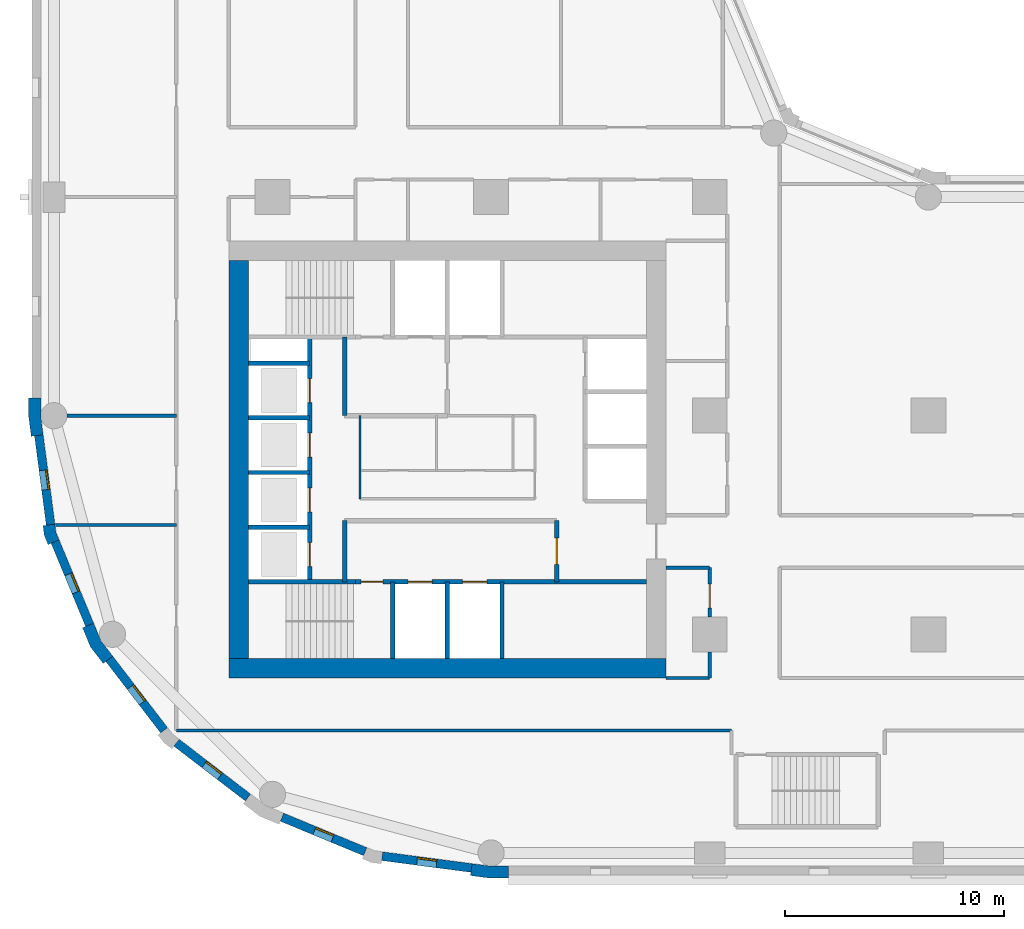
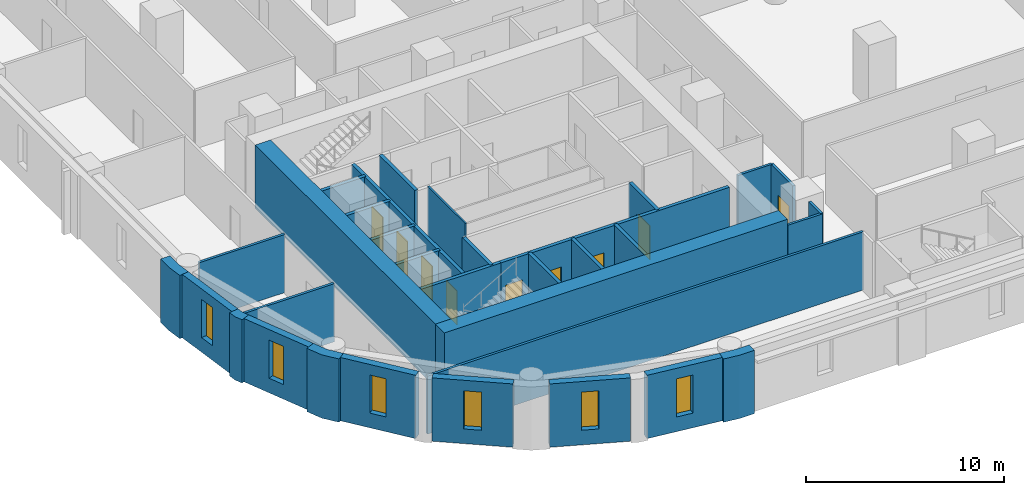
# One storey, part 2 of 10: 33 walls, 9 doors, 6 windows, 15 openings.
"""IFC4 building model written with IfcOpenShell, lengths in metres."""

from ifc_helpers import new_model, si_unit, direction, frame, frame_2d, origin, place, context, subcontext, project, spatial, polyline, rectangle, outline, extrude, material, layer, layer_set, type_object, element, fill, save


model = new_model("IFC4")

# Units and contexts
model_context = context("Model", 3, precision=1e-05, world=origin(), true_north=direction((0.0, 1.0)))
body_context = subcontext(model_context, "Body", "Model", "MODEL_VIEW")
ifc_project = project(units=[si_unit("LENGTHUNIT", "METRE"), si_unit("AREAUNIT", "SQUARE_METRE"), si_unit("VOLUMEUNIT", "CUBIC_METRE"), si_unit("PLANEANGLEUNIT", "RADIAN"), si_unit("MASSUNIT", "GRAM", prefix="KILO")], contexts=[model_context])

# Site, building, storey
site_placement = place(None, origin())
site = spatial("IfcSite", under=ifc_project, at=site_placement, CompositionType="ELEMENT")
building_placement = place(site_placement, origin())
building = spatial("IfcBuilding", under=site, at=building_placement, Name="Qaws Garden Tower", CompositionType="ELEMENT")
storey_placement = place(building_placement, frame((0.0, 0.0, 58.800048828125)))
storey = spatial("IfcBuildingStorey", under=building, at=storey_placement, Name="L14", CompositionType="ELEMENT", Elevation=58.800048828125)

# Wall, opening, window
ifc_material_1 = material(Name="Clay facing brick masonry", Category="masonry")
ifc_layer_1 = layer(ifc_material_1, 0.39990234375)
ifc_layer_set_1 = layer_set([ifc_layer_1], Name="Clay facing brick masonry")
wall_type_1 = type_object("IfcWallType", Name="Brick infill wall 400", PredefinedType="SOLIDWALL", material=ifc_layer_set_1)
wall_1_placement = place(storey_placement, frame((-0.688720703125, 19.102294921875, 0.0), z_axis=(0.0, 0.0, 1.0), x_axis=(0.130514280502, -0.991446429508, 0.0)))
wall_1 = element("IfcWall", 1, at=wall_1_placement, inside=storey, type_object=wall_type_1, Name="E-L14-infill-27", PredefinedType="SOLIDWALL", context=body_context, shape_type="SweptSolid", body=[
    extrude(rectangle(XDim=4.120849609375, YDim=0.39990234375, at=frame_2d((2.060546875, 0.0))), origin(), (0.0, 0.0, 1.0), 3.89990234375),
])
opening_1_placement = place(wall_1_placement, frame((1.610595703125, 0.0, 0.89990234375)))
opening_1 = element("IfcOpeningElement", 2, at=opening_1_placement, cuts=wall_1, Name="Opening W09", PredefinedType="OPENING", context=body_context, shape_type="SweptSolid", body=[
    extrude(rectangle(XDim=0.89990234375, YDim=2.35009765625, at=frame_2d((0.449951171875, 1.175048828125))), frame((0.0, 0.2099609375, 0.0), z_axis=(0.0, -1.0, 0.0), x_axis=(1.0, 0.0, 0.0)), (0.0, 0.0, 1.0), 0.419921875),
])
ifc_material_2 = material(Name="Aluminium framed window, clear glazing", Category="aluminium")
window_type = type_object("IfcWindowType", Name="Slit window 900 x 2350", PartitioningType="SINGLE_PANEL", PredefinedType="WINDOW", material=ifc_material_2)
window_1_placement = place(opening_1_placement, origin())
window_1 = element("IfcWindow", 3, at=window_1_placement, inside=storey, type_object=window_type, Name="E-L14-window-27-0", OverallHeight=2.35009765625, OverallWidth=0.89990234375, PartitioningType="SINGLE_PANEL", PredefinedType="WINDOW", context=body_context, shape_type="SweptSolid", body=[
    extrude(rectangle(XDim=0.89990234375, YDim=2.35009765625, at=frame_2d((0.449951171875, 1.175048828125))), frame((0.0, 0.159912109375, 0.0), z_axis=(0.0, -1.0, 0.0), x_axis=(1.0, 0.0, 0.0)), (0.0, 0.0, 1.0), 0.06005859375),
])
fill(opening_1, window_1)

wall_2_placement = place(storey_placement, frame((0.05712890625, 14.240234375, 0.0), z_axis=(0.0, 0.0, 1.0), x_axis=(0.382721546029, -0.923863744394, 0.0)))
wall_2 = element("IfcWall", 4, at=wall_2_placement, inside=storey, type_object=wall_type_1, Name="E-L14-infill-28", PredefinedType="SOLIDWALL", context=body_context, shape_type="SweptSolid", body=[
    extrude(rectangle(XDim=4.120849609375, YDim=0.39990234375, at=frame_2d((2.060546875, 0.0))), origin(), (0.0, 0.0, 1.0), 3.89990234375),
])
opening_2_placement = place(wall_2_placement, frame((1.610595703125, 0.0, 0.89990234375)))
opening_2 = element("IfcOpeningElement", 5, at=opening_2_placement, cuts=wall_2, Name="Opening W09", PredefinedType="OPENING", context=body_context, shape_type="SweptSolid", body=[
    extrude(rectangle(XDim=0.89990234375, YDim=2.35009765625, at=frame_2d((0.449951171875, 1.175048828125))), frame((0.0, 0.2099609375, 0.0), z_axis=(0.0, -1.0, 0.0), x_axis=(1.0, 0.0, 0.0)), (0.0, 0.0, 1.0), 0.419921875),
])
window_2_placement = place(opening_2_placement, origin())
window_2 = element("IfcWindow", 6, at=window_2_placement, inside=storey, type_object=window_type, Name="E-L14-window-28-0", OverallHeight=2.35009765625, OverallWidth=0.89990234375, PartitioningType="SINGLE_PANEL", PredefinedType="WINDOW", context=body_context, shape_type="SweptSolid", body=[
    extrude(rectangle(XDim=0.89990234375, YDim=2.35009765625, at=frame_2d((0.449951171875, 1.175048828125))), frame((0.0, 0.159912109375, 0.0), z_axis=(0.0, -1.0, 0.0), x_axis=(1.0, 0.0, 0.0)), (0.0, 0.0, 1.0), 0.06005859375),
])
fill(opening_2, window_2)

wall_3_placement = place(storey_placement, frame((2.53173828125, 8.87841796875, 0.0), z_axis=(0.0, 0.0, 1.0), x_axis=(0.608759824817, -0.793354571229, 0.0)))
wall_3 = element("IfcWall", 7, at=wall_3_placement, inside=storey, type_object=wall_type_1, Name="E-L14-infill-29", PredefinedType="SOLIDWALL", context=body_context, shape_type="SweptSolid", body=[
    extrude(rectangle(XDim=4.12109375, YDim=0.39990234375, at=frame_2d((2.060546875, 0.0))), origin(), (0.0, 0.0, 1.0), 3.89990234375),
])
opening_3_placement = place(wall_3_placement, frame((1.610595703125, 0.0, 0.89990234375)))
opening_3 = element("IfcOpeningElement", 8, at=opening_3_placement, cuts=wall_3, Name="Opening W09", PredefinedType="OPENING", context=body_context, shape_type="SweptSolid", body=[
    extrude(rectangle(XDim=0.89990234375, YDim=2.35009765625, at=frame_2d((0.449951171875, 1.175048828125))), frame((0.0, 0.2099609375, 0.0), z_axis=(0.0, -1.0, 0.0), x_axis=(1.0, 0.0, 0.0)), (0.0, 0.0, 1.0), 0.419921875),
])
window_3_placement = place(opening_3_placement, origin())
window_3 = element("IfcWindow", 9, at=window_3_placement, inside=storey, type_object=window_type, Name="E-L14-window-29-0", OverallHeight=2.35009765625, OverallWidth=0.89990234375, PartitioningType="SINGLE_PANEL", PredefinedType="WINDOW", context=body_context, shape_type="SweptSolid", body=[
    extrude(rectangle(XDim=0.89990234375, YDim=2.35009765625, at=frame_2d((0.449951171875, 1.175048828125))), frame((0.0, 0.159912109375, 0.0), z_axis=(0.0, -1.0, 0.0), x_axis=(1.0, 0.0, 0.0)), (0.0, 0.0, 1.0), 0.06005859375),
])
fill(opening_3, window_3)

wall_4_placement = place(storey_placement, frame((5.60888671875, 5.04052734375, 0.0), z_axis=(0.0, 0.0, 1.0), x_axis=(0.793354571229, -0.608759824817, 0.0)))
wall_4 = element("IfcWall", 10, at=wall_4_placement, inside=storey, type_object=wall_type_1, Name="E-L14-infill-30", PredefinedType="SOLIDWALL", context=body_context, shape_type="SweptSolid", body=[
    extrude(rectangle(XDim=4.12109375, YDim=0.39990234375, at=frame_2d((2.060546875, 0.0))), origin(), (0.0, 0.0, 1.0), 3.89990234375),
])
opening_4_placement = place(wall_4_placement, frame((1.610595703125, 0.0, 0.89990234375)))
opening_4 = element("IfcOpeningElement", 11, at=opening_4_placement, cuts=wall_4, Name="Opening W09", PredefinedType="OPENING", context=body_context, shape_type="SweptSolid", body=[
    extrude(rectangle(XDim=0.89990234375, YDim=2.35009765625, at=frame_2d((0.449951171875, 1.175048828125))), frame((0.0, 0.2099609375, 0.0), z_axis=(0.0, -1.0, 0.0), x_axis=(1.0, 0.0, 0.0)), (0.0, 0.0, 1.0), 0.419921875),
])
window_4_placement = place(opening_4_placement, origin())
window_4 = element("IfcWindow", 12, at=window_4_placement, inside=storey, type_object=window_type, Name="E-L14-window-30-0", OverallHeight=2.35009765625, OverallWidth=0.89990234375, PartitioningType="SINGLE_PANEL", PredefinedType="WINDOW", context=body_context, shape_type="SweptSolid", body=[
    extrude(rectangle(XDim=0.89990234375, YDim=2.35009765625, at=frame_2d((0.449951171875, 1.175048828125))), frame((0.0, 0.159912109375, 0.0), z_axis=(0.0, -1.0, 0.0), x_axis=(1.0, 0.0, 0.0)), (0.0, 0.0, 1.0), 0.06005859375),
])
fill(opening_4, window_4)

wall_5_placement = place(storey_placement, frame((10.43310546875, 1.63427734375, 0.0), z_axis=(0.0, 0.0, 1.0), x_axis=(0.923863744394, -0.382721546029, 0.0)))
wall_5 = element("IfcWall", 13, at=wall_5_placement, inside=storey, type_object=wall_type_1, Name="E-L14-infill-31", PredefinedType="SOLIDWALL", context=body_context, shape_type="SweptSolid", body=[
    extrude(rectangle(XDim=4.120849609375, YDim=0.39990234375, at=frame_2d((2.060546875, 0.0))), origin(), (0.0, 0.0, 1.0), 3.89990234375),
])
opening_5_placement = place(wall_5_placement, frame((1.610595703125, 0.0, 0.89990234375)))
opening_5 = element("IfcOpeningElement", 14, at=opening_5_placement, cuts=wall_5, Name="Opening W09", PredefinedType="OPENING", context=body_context, shape_type="SweptSolid", body=[
    extrude(rectangle(XDim=0.89990234375, YDim=2.35009765625, at=frame_2d((0.449951171875, 1.175048828125))), frame((0.0, 0.2099609375, 0.0), z_axis=(0.0, -1.0, 0.0), x_axis=(1.0, 0.0, 0.0)), (0.0, 0.0, 1.0), 0.419921875),
])
window_5_placement = place(opening_5_placement, origin())
window_5 = element("IfcWindow", 15, at=window_5_placement, inside=storey, type_object=window_type, Name="E-L14-window-31-0", OverallHeight=2.35009765625, OverallWidth=0.89990234375, PartitioningType="SINGLE_PANEL", PredefinedType="WINDOW", context=body_context, shape_type="SweptSolid", body=[
    extrude(rectangle(XDim=0.89990234375, YDim=2.35009765625, at=frame_2d((0.449951171875, 1.175048828125))), frame((0.0, 0.159912109375, 0.0), z_axis=(0.0, -1.0, 0.0), x_axis=(1.0, 0.0, 0.0)), (0.0, 0.0, 1.0), 0.06005859375),
])
fill(opening_5, window_5)

wall_6_placement = place(storey_placement, frame((15.0166015625, -0.15087890625, 0.0), z_axis=(0.0, 0.0, 1.0), x_axis=(0.991446429508, -0.130514280502, 0.0)))
wall_6 = element("IfcWall", 16, at=wall_6_placement, inside=storey, type_object=wall_type_1, Name="E-L14-infill-32", PredefinedType="SOLIDWALL", context=body_context, shape_type="SweptSolid", body=[
    extrude(rectangle(XDim=4.120849609375, YDim=0.39990234375, at=frame_2d((2.060546875, 0.0))), origin(), (0.0, 0.0, 1.0), 3.89990234375),
])
opening_6_placement = place(wall_6_placement, frame((1.610595703125, 0.0, 0.89990234375)))
opening_6 = element("IfcOpeningElement", 17, at=opening_6_placement, cuts=wall_6, Name="Opening W09", PredefinedType="OPENING", context=body_context, shape_type="SweptSolid", body=[
    extrude(rectangle(XDim=0.89990234375, YDim=2.35009765625, at=frame_2d((0.449951171875, 1.175048828125))), frame((0.0, 0.2099609375, 0.0), z_axis=(0.0, -1.0, 0.0), x_axis=(1.0, 0.0, 0.0)), (0.0, 0.0, 1.0), 0.419921875),
])
window_6_placement = place(opening_6_placement, origin())
window_6 = element("IfcWindow", 18, at=window_6_placement, inside=storey, type_object=window_type, Name="E-L14-window-32-0", OverallHeight=2.35009765625, OverallWidth=0.89990234375, PartitioningType="SINGLE_PANEL", PredefinedType="WINDOW", context=body_context, shape_type="SweptSolid", body=[
    extrude(rectangle(XDim=0.89990234375, YDim=2.35009765625, at=frame_2d((0.449951171875, 1.175048828125))), frame((0.0, 0.159912109375, 0.0), z_axis=(0.0, -1.0, 0.0), x_axis=(1.0, 0.0, 0.0)), (0.0, 0.0, 1.0), 0.06005859375),
])
fill(opening_6, window_6)

# Walls
ifc_material_3 = material(Name="Clay facing brick masonry", Category="masonry")
ifc_layer_2 = layer(ifc_material_3, 0.550048828125)
ifc_layer_set_2 = layer_set([ifc_layer_2], Name="Clay facing brick masonry")
wall_type_2 = type_object("IfcWallType", Name="Brick kink pier 550 x 600", PredefinedType="SOLIDWALL", material=ifc_layer_set_2)
placement = place(storey_placement, origin())
element("IfcWall", 19, at=placement, inside=storey, type_object=wall_type_2, Name="E-L14-pier-28", PredefinedType="SOLIDWALL", context=body_context, shape_type="SweptSolid", body=[
    extrude(outline(polyline([(-0.34912109375, 14.990478515625), (-0.497802734375, 14.970947265625), (-0.43896484375, 14.5234375), (-0.26611328125, 14.1064453125), (-0.127685546875, 14.163818359375), (0.241943359375, 14.31689453125), (0.096923828125, 14.6669921875), (0.04736328125, 15.042724609375), (-0.34912109375, 14.990478515625)])), origin(), (0.0, 0.0, 1.0), 3.89990234375),
])
ifc_material_4 = material(Name="Clay facing brick masonry", Category="masonry")
ifc_layer_3 = layer(ifc_material_4, 0.550048828125)
ifc_layer_set_3 = layer_set([ifc_layer_3], Name="Clay facing brick masonry")
wall_type_3 = type_object("IfcWallType", Name="Brick pier 550 x 1600", PredefinedType="SOLIDWALL", material=ifc_layer_set_3)
element("IfcWall", 20, at=placement, inside=storey, type_object=wall_type_3, Name="E-L14-pier-00", PredefinedType="SOLIDWALL", context=body_context, shape_type="SweptSolid", body=[
    extrude(outline(polyline([(19.076416015625, -0.886962890625), (19.056640625, -1.03564453125), (19.924560546875, -1.14990234375), (20.800048828125, -1.14990234375), (20.800048828125, -1.0), (20.800048828125, -0.60009765625), (19.960693359375, -0.60009765625), (19.12841796875, -0.490478515625), (19.076416015625, -0.886962890625)])), origin(), (0.0, 0.0, 1.0), 3.89990234375),
])
element("IfcWall", 21, at=placement, inside=storey, type_object=wall_type_3, Name="E-L14-pier-27", PredefinedType="SOLIDWALL", context=body_context, shape_type="SweptSolid", body=[
    extrude(outline(polyline([(-1.0, 20.800048828125), (-1.14990234375, 20.800048828125), (-1.14990234375, 19.924560546875), (-1.03564453125, 19.056640625), (-0.886962890625, 19.076416015625), (-0.490478515625, 19.12841796875), (-0.60009765625, 19.960693359375), (-0.60009765625, 20.800048828125), (-1.0, 20.800048828125)])), origin(), (0.0, 0.0, 1.0), 3.89990234375),
])
element("IfcWall", 22, at=placement, inside=storey, type_object=wall_type_3, Name="E-L14-pier-29", PredefinedType="SOLIDWALL", context=body_context, shape_type="SweptSolid", body=[
    extrude(outline(polyline([(1.449462890625, 10.3564453125), (1.310791015625, 10.299072265625), (1.675048828125, 9.419921875), (2.254150390625, 8.665283203125), (2.373046875, 8.756591796875), (2.6904296875, 9.0), (2.1552734375, 9.697509765625), (1.819091796875, 10.509521484375), (1.449462890625, 10.3564453125)])), origin(), (0.0, 0.0, 1.0), 3.89990234375),
])
ifc_material_5 = material(Name="Plasterboard")
ifc_layer_4 = layer(ifc_material_5, 0.10009765625)
ifc_layer_set_4 = layer_set([ifc_layer_4], Name="Plasterboard")
wall_type_4 = type_object("IfcWallType", Name="Core partition 100", PredefinedType="PARTITIONING", material=ifc_layer_set_4)
wall_11_placement = place(storey_placement, frame((14.0, 16.199951171875, 0.0), z_axis=(0.0, 0.0, 1.0), x_axis=(0.0, 1.0, 0.0)))
element("IfcWall", 23, at=wall_11_placement, inside=storey, type_object=wall_type_4, Name="Core partition", PredefinedType="PARTITIONING", context=body_context, shape_type="SweptSolid", body=[
    extrude(rectangle(XDim=3.800048828125, YDim=0.10009765625, at=frame_2d((1.89990234375, 0.0))), origin(), (0.0, 0.0, 1.0), 3.579833984375),
])
ifc_material_6 = material(Name="Concrete C80", Category="concrete")
ifc_layer_5 = layer(ifc_material_6, 0.199951171875)
ifc_layer_set_5 = layer_set([ifc_layer_5], Name="Concrete C80")
wall_type_5 = type_object("IfcWallType", Name="Core shaft wall 200 C80", PredefinedType="SHEAR", material=ifc_layer_set_5)
wall_12_placement = place(storey_placement, frame((8.89990234375, 12.39990234375, 0.0), z_axis=(0.0, 0.0, 1.0), x_axis=(1.0, 0.0, 0.0)))
element("IfcWall", 24, at=wall_12_placement, inside=storey, type_object=wall_type_5, Name="Shaft wall", PredefinedType="SHEAR", context=body_context, shape_type="SweptSolid", body=[
    extrude(rectangle(XDim=4.900146484375, YDim=0.199951171875, at=frame_2d((2.4501953125, 0.0))), origin(), (0.0, 0.0, 1.0), 3.579833984375),
])

# Wall, openings, doors
wall_13_placement = place(storey_placement, frame((13.800048828125, 12.39990234375, 0.0), z_axis=(0.0, 0.0, 1.0), x_axis=(1.0, 0.0, 0.0)))
wall_13 = element("IfcWall", 25, at=wall_13_placement, inside=storey, type_object=wall_type_5, Name="Shaft wall", PredefinedType="SHEAR", context=body_context, shape_type="SweptSolid", body=[
    extrude(rectangle(XDim=13.300048828125, YDim=0.199951171875, at=frame_2d((6.64990234375, 0.0))), origin(), (0.0, 0.0, 1.0), 3.579833984375),
])
opening_7_placement = place(wall_13_placement, frame((2.39990234375, 0.0, 0.0)))
opening_7 = element("IfcOpeningElement", 26, at=opening_7_placement, cuts=wall_13, Name="Opening LD06", PredefinedType="OPENING", context=body_context, shape_type="SweptSolid", body=[
    extrude(rectangle(XDim=1.10009765625, YDim=2.10009765625, at=frame_2d((0.550048828125, 1.050048828125))), frame((0.0, 0.10986328125, 0.0), z_axis=(0.0, -1.0, 0.0), x_axis=(1.0, 0.0, 0.0)), (0.0, 0.0, 1.0), 0.219970703125),
])
opening_8_placement = place(wall_13_placement, frame((4.89990234375, 0.0, 0.0)))
opening_8 = element("IfcOpeningElement", 27, at=opening_8_placement, cuts=wall_13, Name="Opening LD07", PredefinedType="OPENING", context=body_context, shape_type="SweptSolid", body=[
    extrude(rectangle(XDim=1.10009765625, YDim=2.10009765625, at=frame_2d((0.550048828125, 1.050048828125))), frame((0.0, 0.10986328125, 0.0), z_axis=(0.0, -1.0, 0.0), x_axis=(1.0, 0.0, 0.0)), (0.0, 0.0, 1.0), 0.219970703125),
])
opening_9_placement = place(wall_13_placement, frame((0.25, 0.0, 0.0)))
opening_9 = element("IfcOpeningElement", 28, at=opening_9_placement, cuts=wall_13, Name="Opening SD10", PredefinedType="OPENING", context=body_context, shape_type="SweptSolid", body=[
    extrude(rectangle(XDim=1.0, YDim=2.10009765625, at=frame_2d((0.5, 1.050048828125))), frame((0.0, 0.10986328125, 0.0), z_axis=(0.0, -1.0, 0.0), x_axis=(1.0, 0.0, 0.0)), (0.0, 0.0, 1.0), 0.219970703125),
])
ifc_material_7 = material(Name="Steel S235", Category="steel")
door_type_1 = type_object("IfcDoorType", Name="Landing door 1100x2100", OperationType="DOUBLE_DOOR_SLIDING", PredefinedType="DOOR", material=ifc_material_7)
door_1_placement = place(opening_7_placement, origin())
door_1 = element("IfcDoor", 29, at=door_1_placement, inside=storey, type_object=door_type_1, Name="Lift FF1 landing door", OperationType="DOUBLE_DOOR_SLIDING", OverallHeight=2.10009765625, OverallWidth=1.10009765625, PredefinedType="DOOR", context=body_context, shape_type="SweptSolid", body=[
    extrude(rectangle(XDim=1.10009765625, YDim=2.10009765625, at=frame_2d((0.550048828125, 1.050048828125))), frame((0.0, 0.02490234375, 0.0), z_axis=(0.0, -1.0, 0.0), x_axis=(1.0, 0.0, 0.0)), (0.0, 0.0, 1.0), 0.050048828125),
])
fill(opening_7, door_1)
door_2_placement = place(opening_8_placement, origin())
door_2 = element("IfcDoor", 30, at=door_2_placement, inside=storey, type_object=door_type_1, Name="Lift FF2 landing door", OperationType="DOUBLE_DOOR_SLIDING", OverallHeight=2.10009765625, OverallWidth=1.10009765625, PredefinedType="DOOR", context=body_context, shape_type="SweptSolid", body=[
    extrude(rectangle(XDim=1.10009765625, YDim=2.10009765625, at=frame_2d((0.550048828125, 1.050048828125))), frame((0.0, 0.02490234375, 0.0), z_axis=(0.0, -1.0, 0.0), x_axis=(1.0, 0.0, 0.0)), (0.0, 0.0, 1.0), 0.050048828125),
])
fill(opening_8, door_2)
ifc_material_8 = material(Name="Steel S235", Category="steel")
door_type_2 = type_object("IfcDoorType", Name="Stair door 1000x2100", OperationType="SINGLE_SWING_RIGHT", PredefinedType="DOOR", material=ifc_material_8)
door_3_placement = place(opening_9_placement, frame((1.0, 0.0, 0.0), z_axis=(0.0, 0.0, 1.0), x_axis=(-1.0, 0.0, 0.0)))
door_3 = element("IfcDoor", 31, at=door_3_placement, inside=storey, type_object=door_type_2, Name="Stair 1 door", OperationType="SINGLE_SWING_LEFT", OverallHeight=2.10009765625, OverallWidth=1.0, PredefinedType="DOOR", context=body_context, shape_type="SweptSolid", body=[
    extrude(rectangle(XDim=1.0, YDim=2.10009765625, at=frame_2d((0.5, 1.050048828125))), frame((0.0, 0.02490234375, 0.0), z_axis=(0.0, -1.0, 0.0), x_axis=(1.0, 0.0, 0.0)), (0.0, 0.0, 1.0), 0.050048828125),
])
fill(opening_9, door_3)

# Walls
for number, where, z_axis, x_axis, name in (
    (32, (8.89990234375, 14.89990234375, 0.0), (0.0, 0.0, 1.0), (1.0, 0.0, 0.0), "Shaft wall"),
    (33, (8.89990234375, 17.39990234375, 0.0), (0.0, 0.0, 1.0), (1.0, 0.0, 0.0), "Shaft wall"),
    (34, (8.89990234375, 19.89990234375, 0.0), (0.0, 0.0, 1.0), (1.0, 0.0, 0.0), "Shaft wall"),
    (35, (8.89990234375, 22.39990234375, 0.0), (0.0, 0.0, 1.0), (1.0, 0.0, 0.0), "Shaft wall"),
):
    element("IfcWall", number, at=place(storey_placement, frame(where, z_axis=z_axis, x_axis=x_axis)), inside=storey, type_object=wall_type_5, Name=name, PredefinedType="SHEAR", context=body_context, shape_type="SweptSolid", body=[
        extrude(rectangle(XDim=2.800048828125, YDim=0.199951171875, at=frame_2d((1.39990234375, 0.0))), origin(), (0.0, 0.0, 1.0), 3.579833984375),
    ])

# Wall, openings, doors
wall_14_placement = place(storey_placement, frame((11.699951171875, 12.39990234375, 0.0), z_axis=(0.0, 0.0, 1.0), x_axis=(0.0, 1.0, 0.0)))
wall_14 = element("IfcWall", 36, at=wall_14_placement, inside=storey, type_object=wall_type_5, Name="Shaft wall", PredefinedType="SHEAR", context=body_context, shape_type="SweptSolid", body=[
    extrude(rectangle(XDim=11.2001953125, YDim=0.199951171875, at=frame_2d((5.60009765625, 0.0))), origin(), (0.0, 0.0, 1.0), 3.579833984375),
])
opening_10_placement = place(wall_14_placement, frame((0.699951171875, 0.0, 0.0)))
opening_10 = element("IfcOpeningElement", 37, at=opening_10_placement, cuts=wall_14, Name="Opening LD01", PredefinedType="OPENING", context=body_context, shape_type="SweptSolid", body=[
    extrude(rectangle(XDim=1.10009765625, YDim=2.10009765625, at=frame_2d((0.550048828125, 1.050048828125))), frame((0.0, 0.10986328125, 0.0), z_axis=(0.0, -1.0, 0.0), x_axis=(1.0, 0.0, 0.0)), (0.0, 0.0, 1.0), 0.219970703125),
])
opening_11_placement = place(wall_14_placement, frame((3.199951171875, 0.0, 0.0)))
opening_11 = element("IfcOpeningElement", 38, at=opening_11_placement, cuts=wall_14, Name="Opening LD02", PredefinedType="OPENING", context=body_context, shape_type="SweptSolid", body=[
    extrude(rectangle(XDim=1.10009765625, YDim=2.10009765625, at=frame_2d((0.550048828125, 1.050048828125))), frame((0.0, 0.10986328125, 0.0), z_axis=(0.0, -1.0, 0.0), x_axis=(1.0, 0.0, 0.0)), (0.0, 0.0, 1.0), 0.219970703125),
])
opening_12_placement = place(wall_14_placement, frame((5.699951171875, 0.0, 0.0)))
opening_12 = element("IfcOpeningElement", 39, at=opening_12_placement, cuts=wall_14, Name="Opening LD03", PredefinedType="OPENING", context=body_context, shape_type="SweptSolid", body=[
    extrude(rectangle(XDim=1.10009765625, YDim=2.10009765625, at=frame_2d((0.550048828125, 1.050048828125))), frame((0.0, 0.10986328125, 0.0), z_axis=(0.0, -1.0, 0.0), x_axis=(1.0, 0.0, 0.0)), (0.0, 0.0, 1.0), 0.219970703125),
])
opening_13_placement = place(wall_14_placement, frame((8.199951171875, 0.0, 0.0)))
opening_13 = element("IfcOpeningElement", 40, at=opening_13_placement, cuts=wall_14, Name="Opening LD04", PredefinedType="OPENING", context=body_context, shape_type="SweptSolid", body=[
    extrude(rectangle(XDim=1.10009765625, YDim=2.10009765625, at=frame_2d((0.550048828125, 1.050048828125))), frame((0.0, 0.10986328125, 0.0), z_axis=(0.0, -1.0, 0.0), x_axis=(1.0, 0.0, 0.0)), (0.0, 0.0, 1.0), 0.219970703125),
])
door_4_placement = place(opening_10_placement, origin())
door_4 = element("IfcDoor", 41, at=door_4_placement, inside=storey, type_object=door_type_1, Name="Lift W1 landing door", OperationType="DOUBLE_DOOR_SLIDING", OverallHeight=2.10009765625, OverallWidth=1.10009765625, PredefinedType="DOOR", context=body_context, shape_type="SweptSolid", body=[
    extrude(rectangle(XDim=1.10009765625, YDim=2.10009765625, at=frame_2d((0.550048828125, 1.050048828125))), frame((0.0, 0.02490234375, 0.0), z_axis=(0.0, -1.0, 0.0), x_axis=(1.0, 0.0, 0.0)), (0.0, 0.0, 1.0), 0.050048828125),
])
fill(opening_10, door_4)
door_5_placement = place(opening_11_placement, origin())
door_5 = element("IfcDoor", 42, at=door_5_placement, inside=storey, type_object=door_type_1, Name="Lift W2 landing door", OperationType="DOUBLE_DOOR_SLIDING", OverallHeight=2.10009765625, OverallWidth=1.10009765625, PredefinedType="DOOR", context=body_context, shape_type="SweptSolid", body=[
    extrude(rectangle(XDim=1.10009765625, YDim=2.10009765625, at=frame_2d((0.550048828125, 1.050048828125))), frame((0.0, 0.02490234375, 0.0), z_axis=(0.0, -1.0, 0.0), x_axis=(1.0, 0.0, 0.0)), (0.0, 0.0, 1.0), 0.050048828125),
])
fill(opening_11, door_5)
door_6_placement = place(opening_12_placement, origin())
door_6 = element("IfcDoor", 43, at=door_6_placement, inside=storey, type_object=door_type_1, Name="Lift W3 landing door", OperationType="DOUBLE_DOOR_SLIDING", OverallHeight=2.10009765625, OverallWidth=1.10009765625, PredefinedType="DOOR", context=body_context, shape_type="SweptSolid", body=[
    extrude(rectangle(XDim=1.10009765625, YDim=2.10009765625, at=frame_2d((0.550048828125, 1.050048828125))), frame((0.0, 0.02490234375, 0.0), z_axis=(0.0, -1.0, 0.0), x_axis=(1.0, 0.0, 0.0)), (0.0, 0.0, 1.0), 0.050048828125),
])
fill(opening_12, door_6)
door_7_placement = place(opening_13_placement, origin())
door_7 = element("IfcDoor", 44, at=door_7_placement, inside=storey, type_object=door_type_1, Name="Lift W4 landing door", OperationType="DOUBLE_DOOR_SLIDING", OverallHeight=2.10009765625, OverallWidth=1.10009765625, PredefinedType="DOOR", context=body_context, shape_type="SweptSolid", body=[
    extrude(rectangle(XDim=1.10009765625, YDim=2.10009765625, at=frame_2d((0.550048828125, 1.050048828125))), frame((0.0, 0.02490234375, 0.0), z_axis=(0.0, -1.0, 0.0), x_axis=(1.0, 0.0, 0.0)), (0.0, 0.0, 1.0), 0.050048828125),
])
fill(opening_13, door_7)

# Walls
wall_15_placement = place(storey_placement, frame((13.300048828125, 12.39990234375, 0.0), z_axis=(0.0, 0.0, 1.0), x_axis=(0.0, 1.0, 0.0)))
element("IfcWall", 45, at=wall_15_placement, inside=storey, type_object=wall_type_5, Name="Shaft wall", PredefinedType="SHEAR", context=body_context, shape_type="SweptSolid", body=[
    extrude(rectangle(XDim=2.800048828125, YDim=0.199951171875, at=frame_2d((1.39990234375, 0.0))), origin(), (0.0, 0.0, 1.0), 3.579833984375),
])
wall_16_placement = place(storey_placement, frame((13.300048828125, 20.0, 0.0), z_axis=(0.0, 0.0, 1.0), x_axis=(0.0, 1.0, 0.0)))
element("IfcWall", 46, at=wall_16_placement, inside=storey, type_object=wall_type_5, Name="Shaft wall", PredefinedType="SHEAR", context=body_context, shape_type="SweptSolid", body=[
    extrude(rectangle(XDim=3.60009765625, YDim=0.199951171875, at=frame_2d((1.800048828125, 0.0))), origin(), (0.0, 0.0, 1.0), 3.579833984375),
])
for number, where, z_axis, x_axis, name in (
    (47, (15.5, 8.89990234375, 0.0), (0.0, 0.0, 1.0), (0.0, 1.0, 0.0), "Shaft wall"),
    (48, (18.0, 8.89990234375, 0.0), (0.0, 0.0, 1.0), (0.0, 1.0, 0.0), "Shaft wall"),
    (49, (20.5, 8.89990234375, 0.0), (0.0, 0.0, 1.0), (0.0, 1.0, 0.0), "Shaft wall"),
):
    element("IfcWall", number, at=place(storey_placement, frame(where, z_axis=z_axis, x_axis=x_axis)), inside=storey, type_object=wall_type_5, Name=name, PredefinedType="SHEAR", context=body_context, shape_type="SweptSolid", body=[
        extrude(rectangle(XDim=3.5, YDim=0.199951171875, at=frame_2d((1.75, 0.0))), origin(), (0.0, 0.0, 1.0), 3.579833984375),
    ])

# Wall, opening, door
wall_17_placement = place(storey_placement, frame((23.0, 12.39990234375, 0.0), z_axis=(0.0, 0.0, 1.0), x_axis=(0.0, 1.0, 0.0)))
wall_17 = element("IfcWall", 50, at=wall_17_placement, inside=storey, type_object=wall_type_5, Name="Shaft wall", PredefinedType="SHEAR", context=body_context, shape_type="SweptSolid", body=[
    extrude(rectangle(XDim=2.800048828125, YDim=0.199951171875, at=frame_2d((1.39990234375, 0.0))), origin(), (0.0, 0.0, 1.0), 3.579833984375),
])
opening_14_placement = place(wall_17_placement, frame((0.800048828125, 0.0, 0.0)))
opening_14 = element("IfcOpeningElement", 51, at=opening_14_placement, cuts=wall_17, Name="Opening FD15", PredefinedType="OPENING", context=body_context, shape_type="SweptSolid", body=[
    extrude(rectangle(XDim=1.199951171875, YDim=2.10009765625, at=frame_2d((0.60009765625, 1.050048828125))), frame((0.0, 0.10986328125, 0.0), z_axis=(0.0, -1.0, 0.0), x_axis=(1.0, 0.0, 0.0)), (0.0, 0.0, 1.0), 0.219970703125),
])
ifc_material_9 = material(Name="Steel S235", Category="steel")
door_type_3 = type_object("IfcDoorType", Name="Lobby door 1200x2100", OperationType="DOUBLE_DOOR_SINGLE_SWING", PredefinedType="DOOR", material=ifc_material_9)
door_8_placement = place(opening_14_placement, origin())
door_8 = element("IfcDoor", 52, at=door_8_placement, inside=storey, type_object=door_type_3, Name="Fire-fighting lobby door", OperationType="DOUBLE_DOOR_SINGLE_SWING", OverallHeight=2.10009765625, OverallWidth=1.199951171875, PredefinedType="DOOR", context=body_context, shape_type="SweptSolid", body=[
    extrude(rectangle(XDim=1.199951171875, YDim=2.10009765625, at=frame_2d((0.60009765625, 1.050048828125))), frame((0.0, 0.02490234375, 0.0), z_axis=(0.0, -1.0, 0.0), x_axis=(1.0, 0.0, 0.0)), (0.0, 0.0, 1.0), 0.050048828125),
])
fill(opening_14, door_8)

# Walls
ifc_material_10 = material(Name="Concrete C80", Category="concrete")
ifc_layer_6 = layer(ifc_material_10, 0.89990234375)
ifc_layer_set_6 = layer_set([ifc_layer_6], Name="Concrete C80")
wall_type_6 = type_object("IfcWallType", Name="Core wall 900 C80", PredefinedType="SHEAR", material=ifc_layer_set_6)
wall_18_placement = place(storey_placement, frame((8.0, 8.449951171875, 0.0), z_axis=(0.0, 0.0, 1.0), x_axis=(1.0, 0.0, 0.0)))
element("IfcWall", 53, at=wall_18_placement, inside=storey, type_object=wall_type_6, Name="Core wall L14 south", PredefinedType="SHEAR", context=body_context, shape_type="SweptSolid", body=[
    extrude(rectangle(XDim=20.0, YDim=0.89990234375, at=frame_2d((10.0, 0.0))), origin(), (0.0, 0.0, 1.0), 3.89990234375),
])
wall_19_placement = place(storey_placement, frame((8.449951171875, 27.10009765625, 0.0), z_axis=(0.0, 0.0, 1.0), x_axis=(0.0, -1.0, 0.0)))
element("IfcWall", 54, at=wall_19_placement, inside=storey, type_object=wall_type_6, Name="Core wall L14 west", PredefinedType="SHEAR", context=body_context, shape_type="SweptSolid", body=[
    extrude(rectangle(XDim=18.2001953125, YDim=0.89990234375, at=frame_2d((9.10009765625, 0.0))), origin(), (0.0, 0.0, 1.0), 3.89990234375),
])
ifc_material_11 = material(Name="Gypsum board partition")
ifc_layer_7 = layer(ifc_material_11, 0.14990234375)
ifc_layer_set_7 = layer_set([ifc_layer_7], Name="Gypsum board partition")
wall_type_7 = type_object("IfcWallType", Name="PARTITION 150 EI 60", PredefinedType="PARTITIONING", material=ifc_layer_set_7)
wall_20_placement = place(storey_placement, frame((30.0, 8.0, 0.0), z_axis=(0.0, 0.0, 1.0), x_axis=(0.0, 1.0, 0.0)))
element("IfcWall", 55, at=wall_20_placement, inside=storey, type_object=wall_type_7, Name="O-L14-wall-013", PredefinedType="PARTITIONING", context=body_context, shape_type="SweptSolid", body=[
    extrude(rectangle(XDim=1.199951171875, YDim=0.14990234375, at=frame_2d((0.60009765625, 0.0))), origin(), (0.0, 0.0, 1.0), 3.579833984375),
])

# Wall, opening, door
wall_21_placement = place(storey_placement, frame((30.0, 10.800048828125, 0.0), z_axis=(0.0, 0.0, 1.0), x_axis=(0.0, 1.0, 0.0)))
wall_21 = element("IfcWall", 56, at=wall_21_placement, inside=storey, type_object=wall_type_7, Name="O-L14-wall-014", PredefinedType="PARTITIONING", context=body_context, shape_type="SweptSolid", body=[
    extrude(rectangle(XDim=2.25, YDim=0.14990234375, at=frame_2d((1.125, 0.0))), origin(), (0.0, 0.0, 1.0), 3.579833984375),
])
opening_15_placement = place(wall_21_placement, frame((0.39990234375, 0.0, 0.0)))
opening_15 = element("IfcOpeningElement", 57, at=opening_15_placement, cuts=wall_21, Name="Opening A524", PredefinedType="OPENING", context=body_context, shape_type="SweptSolid", body=[
    extrude(rectangle(XDim=1.10009765625, YDim=2.10009765625, at=frame_2d((0.550048828125, 1.050048828125))), frame((0.0, 0.0849609375, 0.0), z_axis=(0.0, -1.0, 0.0), x_axis=(1.0, 0.0, 0.0)), (0.0, 0.0, 1.0), 0.169921875),
])
ifc_material_12 = material(Name="Timber door leaf", Category="wood")
door_type_4 = type_object("IfcDoorType", Name="SERVICE ROOM DOOR 1100 X 2100", OperationType="SINGLE_SWING_LEFT", PredefinedType="DOOR", material=ifc_material_12)
door_9_placement = place(opening_15_placement, origin())
door_9 = element("IfcDoor", 58, at=door_9_placement, inside=storey, type_object=door_type_4, Name="O-L14-door-024", OperationType="SINGLE_SWING_LEFT", OverallHeight=2.10009765625, OverallWidth=1.10009765625, PredefinedType="DOOR", context=body_context, shape_type="SweptSolid", body=[
    extrude(rectangle(XDim=1.10009765625, YDim=2.10009765625, at=frame_2d((0.550048828125, 1.050048828125))), frame((0.0, 0.02490234375, 0.0), z_axis=(0.0, -1.0, 0.0), x_axis=(1.0, 0.0, 0.0)), (0.0, 0.0, 1.0), 0.050048828125),
])
fill(opening_15, door_9)

# Walls
wall_22_placement = place(storey_placement, frame((5.60009765625, 5.60009765625, 0.0), z_axis=(0.0, 0.0, 1.0), x_axis=(1.0, 0.0, 0.0)))
element("IfcWall", 59, at=wall_22_placement, inside=storey, type_object=wall_type_7, Name="O-L14-wall-026", PredefinedType="PARTITIONING", context=body_context, shape_type="SweptSolid", body=[
    extrude(rectangle(XDim=25.39990234375, YDim=0.14990234375, at=frame_2d((12.699951171875, 0.0))), origin(), (0.0, 0.0, 1.0), 3.579833984375),
])
for number, where, z_axis, x_axis, name in (
    (60, (28.0, 8.0, 0.0), (0.0, 0.0, 1.0), (1.0, 0.0, 0.0), "O-L14-wall-028"),
    (61, (28.0, 13.050048828125, 0.0), (0.0, 0.0, 1.0), (1.0, 0.0, 0.0), "O-L14-wall-030"),
):
    element("IfcWall", number, at=place(storey_placement, frame(where, z_axis=z_axis, x_axis=x_axis)), inside=storey, type_object=wall_type_7, Name=name, PredefinedType="PARTITIONING", context=body_context, shape_type="SweptSolid", body=[
        extrude(rectangle(XDim=2.0, YDim=0.14990234375, at=frame_2d((1.0, 0.0))), origin(), (0.0, 0.0, 1.0), 3.579833984375),
    ])
wall_23_placement = place(storey_placement, frame((0.06298828125, 15.0, 0.0), z_axis=(0.0, 0.0, 1.0), x_axis=(1.0, 0.0, 0.0)))
element("IfcWall", 62, at=wall_23_placement, inside=storey, type_object=wall_type_7, Name="O-L14-wall-032", PredefinedType="PARTITIONING", context=body_context, shape_type="SweptSolid", body=[
    extrude(rectangle(XDim=5.537109375, YDim=0.14990234375, at=frame_2d((2.7685546875, 0.0))), origin(), (0.0, 0.0, 1.0), 3.579833984375),
])
wall_24_placement = place(storey_placement, frame((0.60009765625, 20.0, 0.0), z_axis=(0.0, 0.0, 1.0), x_axis=(1.0, 0.0, 0.0)))
element("IfcWall", 63, at=wall_24_placement, inside=storey, type_object=wall_type_7, Name="O-L14-wall-035", PredefinedType="PARTITIONING", context=body_context, shape_type="SweptSolid", body=[
    extrude(rectangle(XDim=5.0, YDim=0.14990234375, at=frame_2d((2.5, 0.0))), origin(), (0.0, 0.0, 1.0), 3.579833984375),
])

save(model, "model.ifc")
